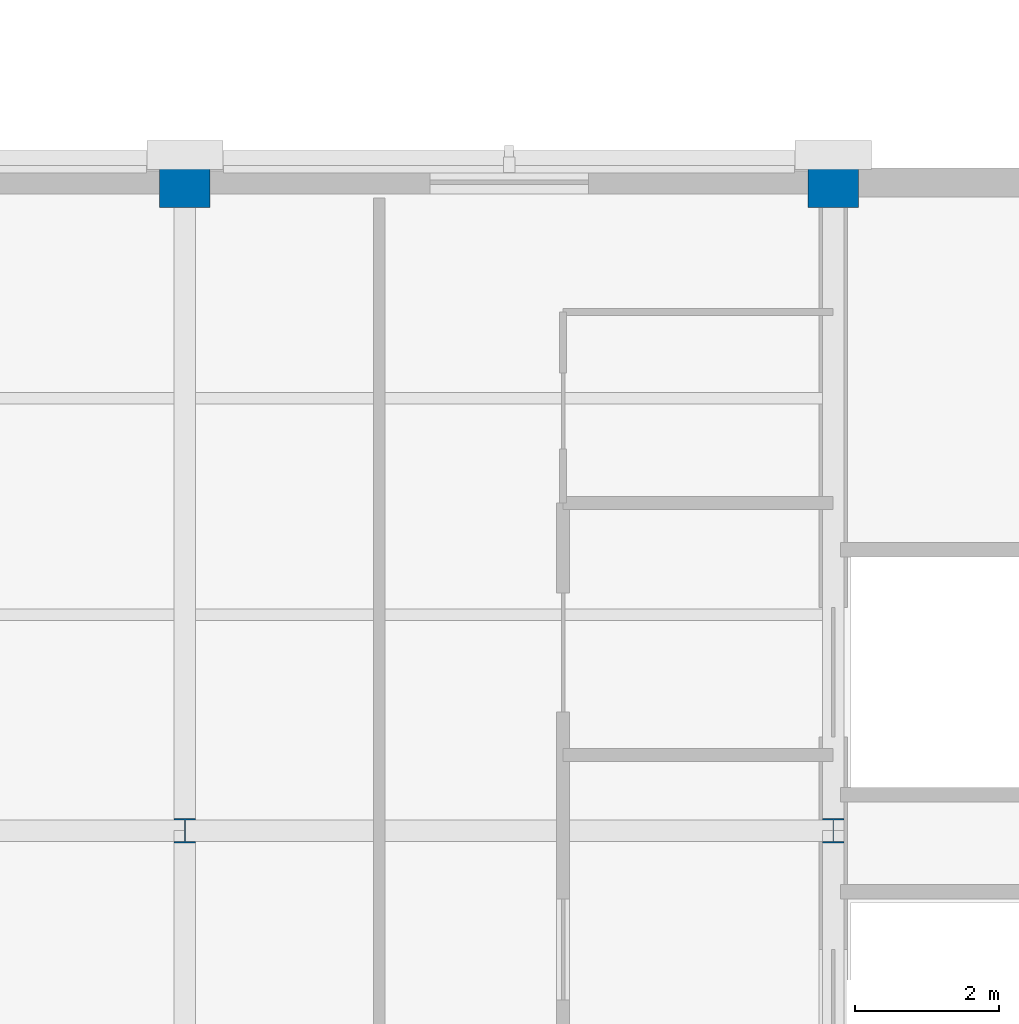
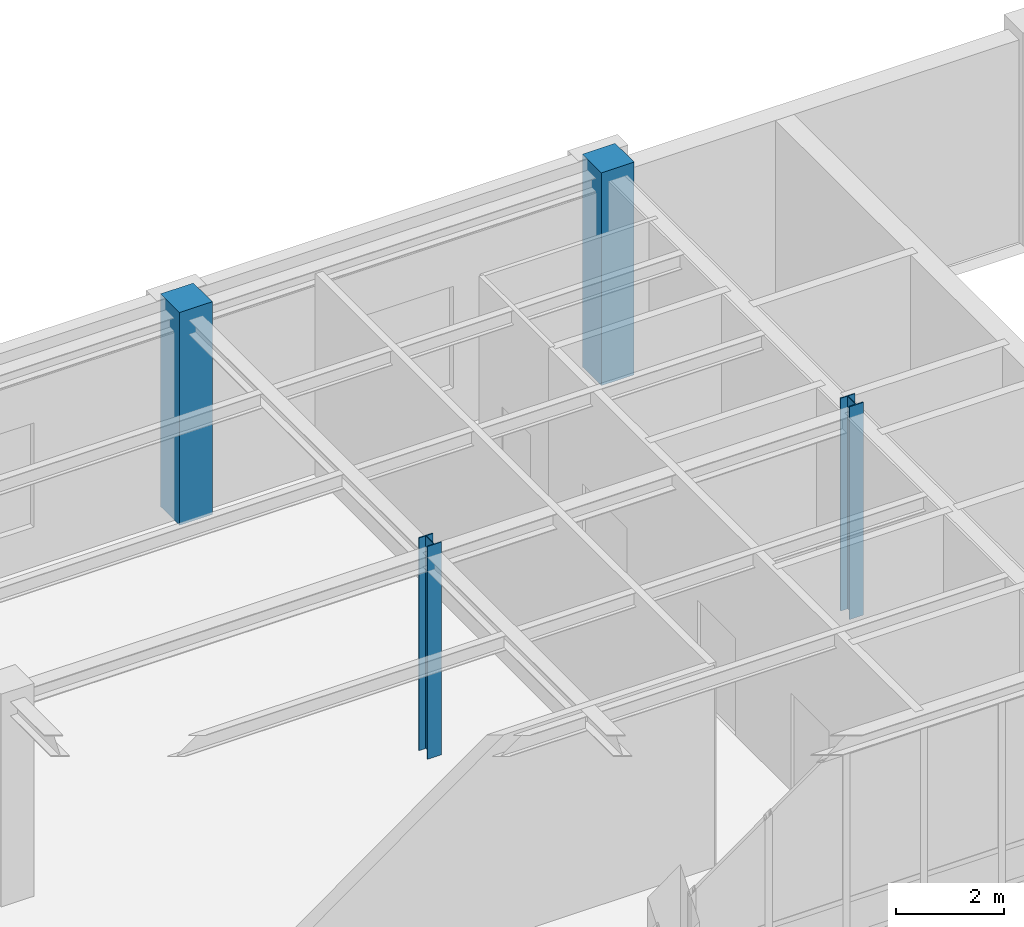
# One storey, part 12 of 98: 4 columns.
"""IFC4 building model written with IfcOpenShell, lengths in metres."""

from ifc_helpers import new_model, si_unit, direction, frame, origin, origin_2d, place, context, subcontext, project, spatial, rectangle, i_section, extrude, material, material_profile, profile_set, type_object, element, save


model = new_model("IFC4")

# Units and contexts
model_context = context("Model", 3, precision=1e-05, world=origin(), true_north=direction((0.0, 1.0)))
body_context = subcontext(model_context, "Body", "Model", "MODEL_VIEW")
ifc_project = project(units=[si_unit("LENGTHUNIT", "METRE"), si_unit("AREAUNIT", "SQUARE_METRE"), si_unit("VOLUMEUNIT", "CUBIC_METRE"), si_unit("PLANEANGLEUNIT", "RADIAN"), si_unit("MASSUNIT", "GRAM", prefix="KILO")], contexts=[model_context])

# Site, building, storey
site_placement = place(None, origin())
site = spatial("IfcSite", under=ifc_project, at=site_placement, CompositionType="ELEMENT")
building_placement = place(site_placement, origin())
building = spatial("IfcBuilding", under=site, at=building_placement, Name="Lykobir Media Centre", CompositionType="ELEMENT")
storey_placement = place(building_placement, frame((0.0, 0.0, 10.199951171875)))
storey = spatial("IfcBuildingStorey", under=building, at=storey_placement, Name="L02", CompositionType="ELEMENT", Elevation=10.199951171875)

# Columns
ifc_material_1 = material(Name="Concrete C40/50", Category="concrete")
ifc_material_profile_1 = material_profile(ifc_material_1, rectangle(XDim=0.699951171875, YDim=0.699951171875, at=origin_2d()), Name="RC 700x700")
ifc_profile_set_1 = profile_set([ifc_material_profile_1], Name="Concrete C40/50")
column_type_1 = type_object("IfcColumnType", Name="RC-C700", PredefinedType="COLUMN", material=ifc_profile_set_1)
for number, where, z_axis, x_axis, name in (
    (1, (117.0, 90.0, 0.0), (0.0, 0.0, 1.0), (1.0, 0.0, 0.0), "Column COL-L02-1170-0900"),
    (2, (126.0, 90.0, 0.0), (0.0, 0.0, 1.0), (1.0, 0.0, 0.0), "Column COL-L02-1260-0900"),
):
    element("IfcColumn", number, at=place(storey_placement, frame(where, z_axis=z_axis, x_axis=x_axis)), inside=storey, type_object=column_type_1, Name=name, PredefinedType="COLUMN", context=body_context, shape_type="SweptSolid", body=[
        extrude(rectangle(XDim=0.699951171875, YDim=0.699951171875, at=origin_2d()), origin(), (0.0, 0.0, 1.0), 4.800048828125),
    ])
ifc_material_2 = material(Name="Steel S355", Category="steel")
ifc_material_profile_2 = material_profile(ifc_material_2, i_section(OverallWidth=0.300048828125, OverallDepth=0.340087890625, WebThickness=0.011962890625, FlangeThickness=0.021484375, at=origin_2d()), Name="HEB 340")
ifc_profile_set_2 = profile_set([ifc_material_profile_2], Name="Steel S355")
column_type_2 = type_object("IfcColumnType", Name="SC-HEB340", PredefinedType="COLUMN", material=ifc_profile_set_2)
for number, where, z_axis, x_axis, name in (
    (3, (117.0, 81.0, 0.0), (0.0, 0.0, 1.0), (1.0, 0.0, 0.0), "Column COL-L02-1170-0810"),
    (4, (126.0, 81.0, 0.0), (0.0, 0.0, 1.0), (1.0, 0.0, 0.0), "Column COL-L02-1260-0810"),
):
    element("IfcColumn", number, at=place(storey_placement, frame(where, z_axis=z_axis, x_axis=x_axis)), inside=storey, type_object=column_type_2, Name=name, PredefinedType="COLUMN", context=body_context, shape_type="SweptSolid", body=[
        extrude(i_section(OverallWidth=0.300048828125, OverallDepth=0.340087890625, WebThickness=0.011962890625, FlangeThickness=0.021484375, at=origin_2d()), origin(), (0.0, 0.0, 1.0), 4.800048828125),
    ])

save(model, "model.ifc")
